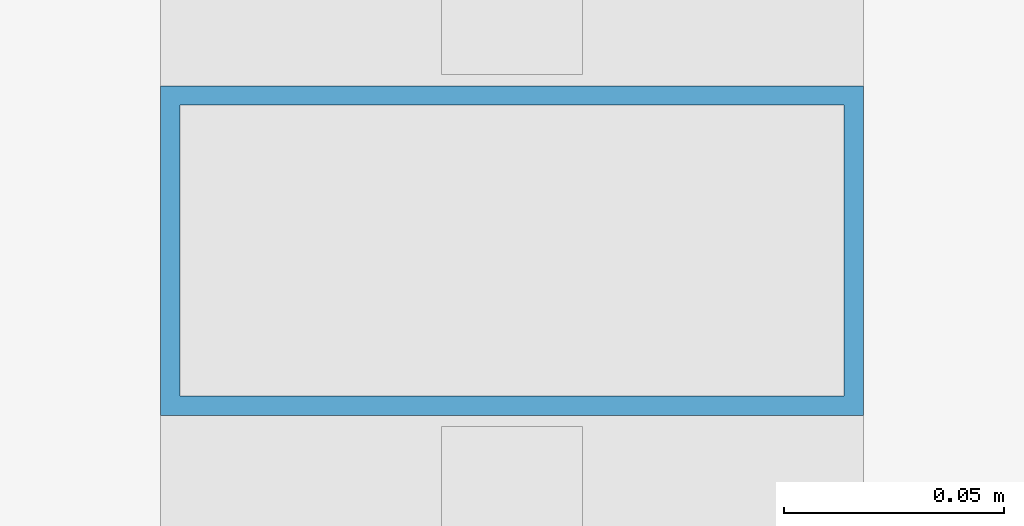
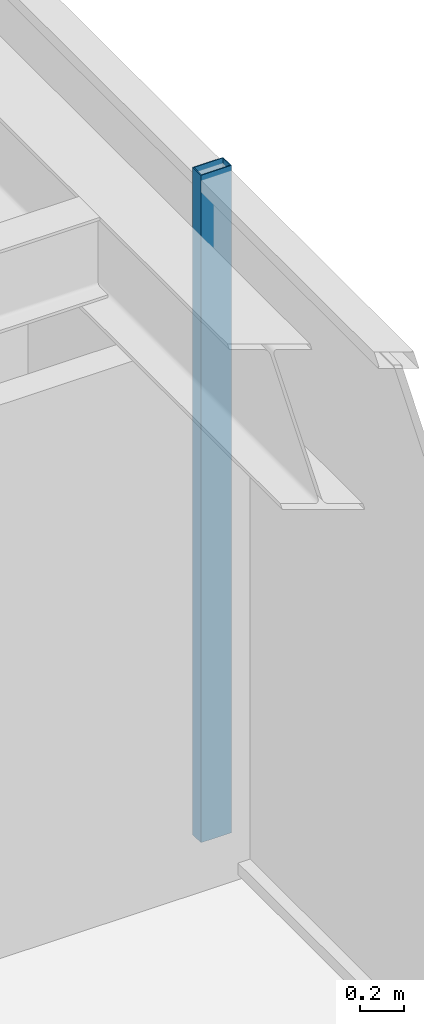
# One storey, part 19 of 39: 1 member, 1 element without a shape of its own.
"""IFC4 building model written with IfcOpenShell, lengths in metres."""

from ifc_helpers import new_model, si_unit, direction, frame, origin, origin_2d, place, context, subcontext, project, spatial, hollow_rectangle, extrude, material, material_profile, profile_set, type_object, element, aggregate, save


model = new_model("IFC4")

# Units and contexts
model_context = context("Model", 3, precision=1e-05, world=origin(), true_north=direction((0.0, 1.0)))
body_context = subcontext(model_context, "Body", "Model", "MODEL_VIEW")
ifc_project = project(units=[si_unit("LENGTHUNIT", "METRE"), si_unit("AREAUNIT", "SQUARE_METRE"), si_unit("VOLUMEUNIT", "CUBIC_METRE"), si_unit("PLANEANGLEUNIT", "RADIAN"), si_unit("MASSUNIT", "GRAM", prefix="KILO")], contexts=[model_context])

# Site, building, storey
site_placement = place(None, origin())
site = spatial("IfcSite", under=ifc_project, at=site_placement, CompositionType="ELEMENT")
building_placement = place(site_placement, origin())
building = spatial("IfcBuilding", under=site, at=building_placement, Name="Kolvaren Belvedere", CompositionType="ELEMENT")
storey_placement = place(building_placement, frame((0.0, 0.0, 15.199951171875)))
storey = spatial("IfcBuildingStorey", under=building, at=storey_placement, Name="L04", CompositionType="ELEMENT", Elevation=15.199951171875)

# Curtain wall, member
ifc_material_1 = material(Name="Anodised pale-metal aluminium AA 6063-T6", Category="aluminium")
curtain_wall_type = type_object("IfcCurtainWallType", Name="CW-POD-A", PredefinedType="NOTDEFINED", material=ifc_material_1)
curtain_wall_placement = place(storey_placement, origin())
curtain_wall = element("IfcCurtainWall", 1, at=curtain_wall_placement, inside=storey, type_object=curtain_wall_type, Name="L04 Unitised Curtain Wall FCW-L04-E", PredefinedType="NOTDEFINED")
ifc_material_2 = material(Name="Anodised pale-metal aluminium AA 6063-T6", Category="aluminium")
ifc_material_profile = material_profile(ifc_material_2, hollow_rectangle(XDim=0.074951171875, YDim=0.159912109375, WallThickness=0.00439453125, at=origin_2d()), Name="ALU-MUL-160X75")
ifc_profile_set = profile_set([ifc_material_profile], Name="Anodised pale-metal aluminium AA 6063-T6")
member_type = type_object("IfcMemberType", Name="CW-MUL-160", PredefinedType="MULLION", material=ifc_profile_set)
member_placement = place(storey_placement, frame((27.8798828125, 0.0, 0.0), z_axis=(0.0, 0.0, 1.0), x_axis=(0.0, 1.0, 0.0)))
member = element("IfcMember", 2, at=member_placement, type_object=member_type, Name="FCW-L04-E Unitised Mullion 3", PredefinedType="MULLION", context=body_context, shape_type="SweptSolid", body=[
    extrude(hollow_rectangle(XDim=0.074951171875, YDim=0.159912109375, WallThickness=0.00439453125, at=origin_2d()), origin(), (0.0, 0.0, 1.0), 3.699951171875),
])
aggregate(curtain_wall, [member])

save(model, "model.ifc")
